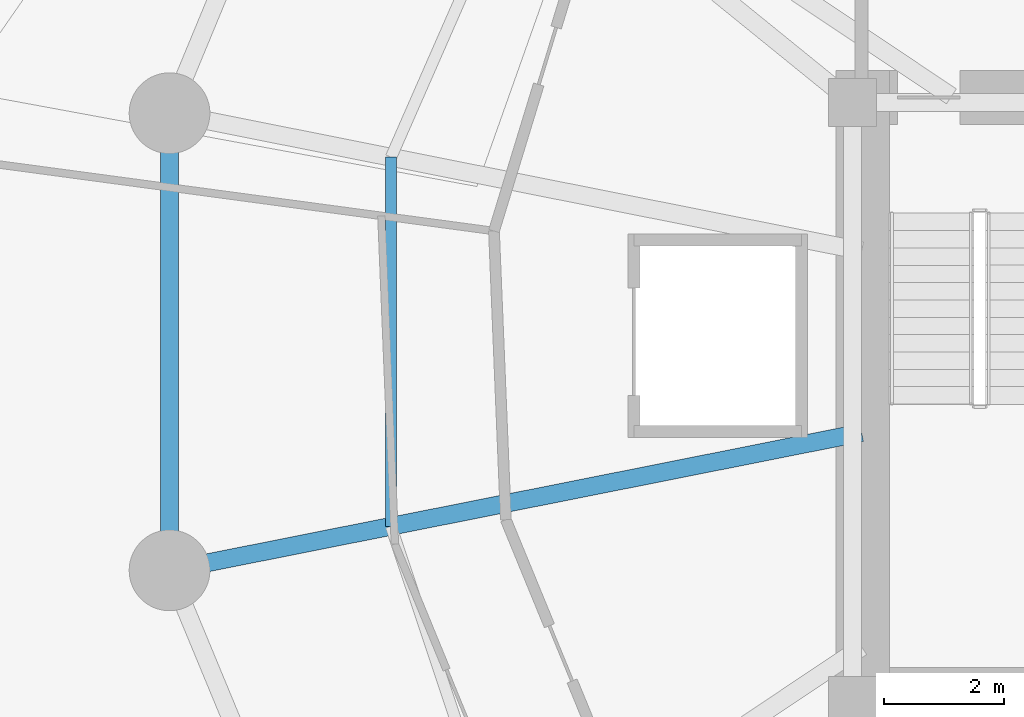
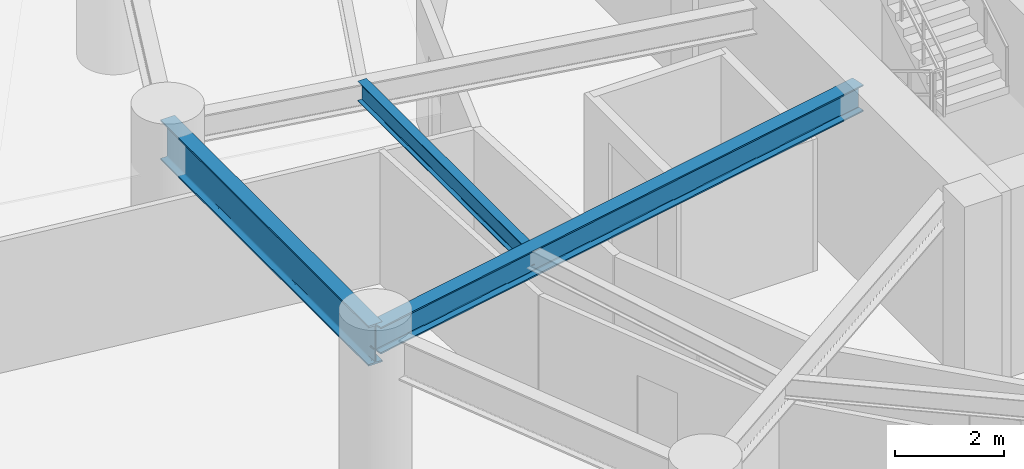
# One storey, part 5 of 17: 3 beams.
"""IFC4 building model written with IfcOpenShell, lengths in metres."""

from ifc_helpers import new_model, si_unit, direction, frame, origin, origin_2d, place, context, subcontext, project, spatial, i_section, extrude, material, material_profile, profile_set, type_object, element, save


model = new_model("IFC4")

# Units and contexts
model_context = context("Model", 3, precision=1e-05, world=origin(), true_north=direction((0.0, 1.0)))
body_context = subcontext(model_context, "Body", "Model", "MODEL_VIEW")
ifc_project = project(units=[si_unit("LENGTHUNIT", "METRE"), si_unit("AREAUNIT", "SQUARE_METRE"), si_unit("VOLUMEUNIT", "CUBIC_METRE"), si_unit("PLANEANGLEUNIT", "RADIAN"), si_unit("MASSUNIT", "GRAM", prefix="KILO"), si_unit("THERMODYNAMICTEMPERATUREUNIT", "KELVIN"), si_unit("POWERUNIT", "WATT")], contexts=[model_context])

# Site, building, storey
site_placement = place(None, origin())
site = spatial("IfcSite", under=ifc_project, at=site_placement, CompositionType="ELEMENT")
building_placement = place(site_placement, origin())
building = spatial("IfcBuilding", under=site, at=building_placement, Name="Ocrelia Relay Tower", CompositionType="ELEMENT")
storey_placement = place(building_placement, frame((0.0, 0.0, 84.60009765625)))
storey = spatial("IfcBuildingStorey", under=building, at=storey_placement, Name="L19", CompositionType="ELEMENT", Elevation=84.60009765625)

# Beams
ifc_material = material(Name="Steel S355", Category="steel")
ifc_material_profile_1 = material_profile(ifc_material, i_section(OverallWidth=0.300048828125, OverallDepth=0.60009765625, WebThickness=0.015380859375, FlangeThickness=0.030029296875, FilletRadius=0.027099609375, at=origin_2d()), Name="HEB 600")
ifc_profile_set_1 = profile_set([ifc_material_profile_1], Name="Steel S355")
beam_type_1 = type_object("IfcBeamType", Name="BM-HEB600", PredefinedType="BEAM", material=ifc_profile_set_1)
beam_1_placement = place(storey_placement, frame((14.776611328125, 22.17626953125, 3.579833984375), z_axis=(0.980786938484, 0.195081986098, 0.0), x_axis=(-0.195081986098, 0.980786938484, 0.0)))
element("IfcBeam", 1, at=beam_1_placement, inside=storey, type_object=beam_type_1, Name="L19 Radial Floor Girder R09", PredefinedType="BEAM", context=body_context, shape_type="SweptSolid", body=[
    extrude(i_section(OverallWidth=0.300048828125, OverallDepth=0.60009765625, WebThickness=0.015380859375, FlangeThickness=0.030029296875, FilletRadius=0.027099609375, at=origin_2d()), origin(), (0.0, 0.0, 1.0), 11.80517578125),
])
ifc_material_profile_2 = material_profile(ifc_material, i_section(OverallWidth=0.300048828125, OverallDepth=0.89990234375, WebThickness=0.0185546875, FlangeThickness=0.034912109375, FilletRadius=0.030029296875, at=origin_2d()), Name="HEB 900")
ifc_profile_set_2 = profile_set([ifc_material_profile_2], Name="Steel S355")
beam_type_2 = type_object("IfcBeamType", Name="BM-HEB900", PredefinedType="BEAM", material=ifc_profile_set_2)
beam_2_placement = place(storey_placement, frame((14.776611328125, 29.82373046875, 3.429931640625), z_axis=(0.0, -1.0, 0.0), x_axis=(1.0, 0.0, 0.0)))
element("IfcBeam", 2, at=beam_2_placement, inside=storey, type_object=beam_type_2, Name="L19 Perimeter Spandrel Beam S08", PredefinedType="BEAM", context=body_context, shape_type="SweptSolid", body=[
    extrude(i_section(OverallWidth=0.300048828125, OverallDepth=0.89990234375, WebThickness=0.0185546875, FlangeThickness=0.034912109375, FilletRadius=0.030029296875, at=origin_2d()), origin(), (0.0, 0.0, 1.0), 7.6474609375),
])
ifc_material_profile_3 = material_profile(ifc_material, i_section(OverallWidth=0.18994140625, OverallDepth=0.449951171875, WebThickness=0.009521484375, FlangeThickness=0.0146484375, FilletRadius=0.02099609375, at=origin_2d()), Name="IPE 450")
ifc_profile_set_3 = profile_set([ifc_material_profile_3], Name="Steel S355")
beam_type_3 = type_object("IfcBeamType", Name="BM-IPE450", PredefinedType="JOIST", material=ifc_profile_set_3)
beam_3_placement = place(storey_placement, frame((18.481689453125, 29.0869140625, 3.65478515625), z_axis=(0.0, -1.0, 0.0), x_axis=(1.0, 0.0, 0.0)))
element("IfcBeam", 3, at=beam_3_placement, inside=storey, type_object=beam_type_3, Name="L19 Secondary Floor Joist J08", PredefinedType="JOIST", context=body_context, shape_type="SweptSolid", body=[
    extrude(i_section(OverallWidth=0.18994140625, OverallDepth=0.449951171875, WebThickness=0.009521484375, FlangeThickness=0.0146484375, FilletRadius=0.02099609375, at=origin_2d()), origin(), (0.0, 0.0, 1.0), 6.173828125),
])

save(model, "model.ifc")
